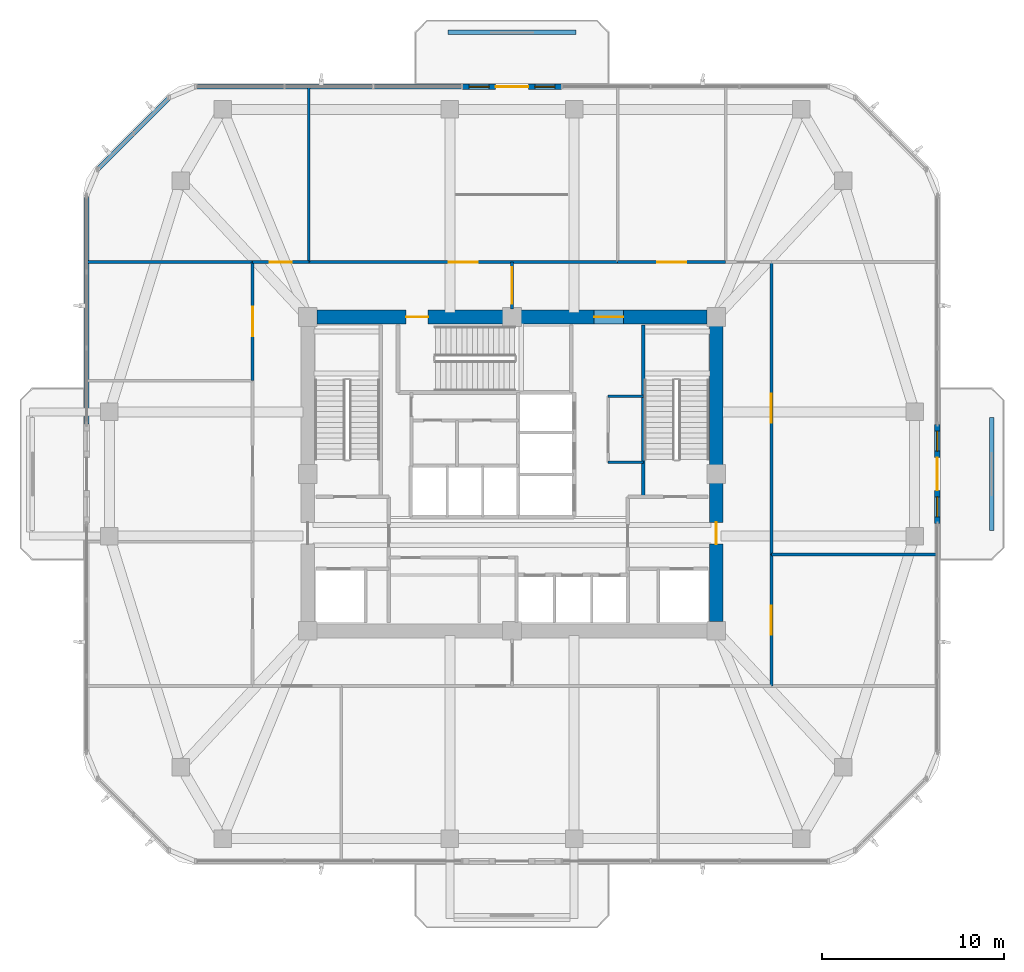
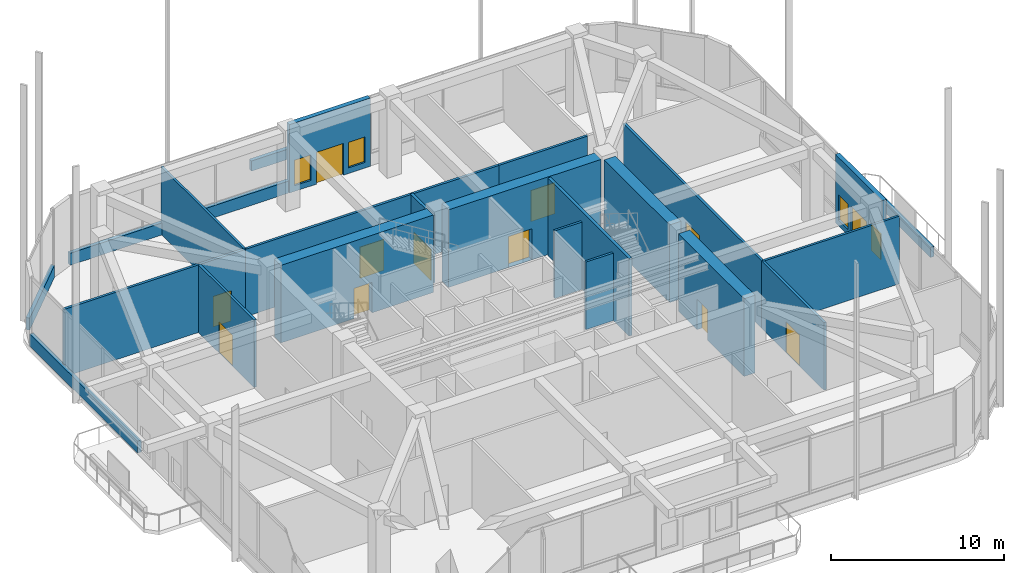
# One storey, part 8 of 12: 24 walls, 12 doors, 4 windows, 16 openings.
"""IFC4 building model written with IfcOpenShell, lengths in metres."""

from ifc_helpers import new_model, si_unit, derived_unit, direction, frame, frame_2d, origin, place, context, subcontext, project, spatial, rectangle, extrude, material, layer, layer_set, type_object, element, fill, save


model = new_model("IFC4")

# Units and contexts
model_context = context("Model", 3, precision=1e-05, world=origin(), true_north=direction((0.0, 1.0)))
body_context = subcontext(model_context, "Body", "Model", "MODEL_VIEW")
ifc_project = project(units=[si_unit("LENGTHUNIT", "METRE"), si_unit("AREAUNIT", "SQUARE_METRE"), si_unit("VOLUMEUNIT", "CUBIC_METRE"), si_unit("PLANEANGLEUNIT", "RADIAN"), si_unit("MASSUNIT", "GRAM", prefix="KILO"), derived_unit("THERMALTRANSMITTANCEUNIT", [(si_unit("POWERUNIT", "WATT"), 1), (si_unit("LENGTHUNIT", "METRE"), -2), (si_unit("THERMODYNAMICTEMPERATUREUNIT", "KELVIN"), -1)])], contexts=[model_context])

# Site, building, storey
site_placement = place(None, origin())
site = spatial("IfcSite", under=ifc_project, at=site_placement, CompositionType="ELEMENT")
building_placement = place(site_placement, origin())
building = spatial("IfcBuilding", under=site, at=building_placement, Name="Koralith Skygarden Medical Center", CompositionType="ELEMENT")
storey_placement = place(building_placement, frame((0.0, 0.0, 129.06005859375)))
storey = spatial("IfcBuildingStorey", under=building, at=storey_placement, Name="L33", CompositionType="ELEMENT", Elevation=129.06005859375)

# Walls
ifc_material_1 = material(Name="Gypsum Board Partition")
ifc_layer_1 = layer(ifc_material_1, 0.14990234375)
ifc_layer_set_1 = layer_set([ifc_layer_1], Name="Gypsum Board Partition")
wall_type_1 = type_object("IfcWallType", Name="Clinical Acoustic Partition 150", PredefinedType="PARTITIONING", material=ifc_layer_set_1)
for number, where, z_axis, x_axis, name in (
    (1, (42.27001953125, 26.5400390625, 0.0), (0.0, 0.0, 1.0), (1.0, 0.0, 0.0), "L33 Clinical Acoustic Partition 150 W-CORE-L33-ESUB-S"),
    (2, (42.27001953125, 30.159912109375, 0.0), (0.0, 0.0, 1.0), (1.0, 0.0, 0.0), "L33 Clinical Acoustic Partition 150 W-CORE-L33-ESUB-N"),
):
    element("IfcWall", number, at=place(storey_placement, frame(where, z_axis=z_axis, x_axis=x_axis)), inside=storey, type_object=wall_type_1, Name=name, PredefinedType="PARTITIONING", context=body_context, shape_type="SweptSolid", body=[
        extrude(rectangle(XDim=1.929931640625, YDim=0.14990234375, at=frame_2d((0.96484375, 0.0))), origin(), (0.0, 0.0, 1.0), 4.77001953125),
    ])
wall_1_placement = place(storey_placement, frame((25.867919921875, 37.510009765625, 0.0), z_axis=(0.0, 0.0, 1.0), x_axis=(0.0, 1.0, 0.0)))
element("IfcWall", 3, at=wall_1_placement, inside=storey, type_object=wall_type_1, Name="L33 Clinical Acoustic Partition 150 W-AMPART-L33-N-1", PredefinedType="PARTITIONING", context=body_context, shape_type="SweptSolid", body=[
    extrude(rectangle(XDim=9.590087890625, YDim=0.14990234375, at=frame_2d((4.794921875, 0.0))), origin(), (0.0, 0.0, 1.0), 4.77001953125),
])
wall_2_placement = place(storey_placement, frame((51.2099609375, 21.488037109375, 0.0), z_axis=(0.0, 0.0, 1.0), x_axis=(1.0, 0.0, 0.0)))
element("IfcWall", 4, at=wall_2_placement, inside=storey, type_object=wall_type_1, Name="L33 Clinical Acoustic Partition 150 W-AMPART-L33-E-1", PredefinedType="PARTITIONING", context=body_context, shape_type="SweptSolid", body=[
    extrude(rectangle(XDim=9.073974609375, YDim=0.14990234375, at=frame_2d((4.537109375, 0.0))), origin(), (0.0, 0.0, 1.0), 4.77001953125),
])
ifc_layer_2 = layer(ifc_material_1, 0.1650390625)
ifc_layer_set_2 = layer_set([ifc_layer_2], Name="Gypsum Board Partition")
wall_type_2 = type_object("IfcWallType", Name="Clinical Corridor Partition 165", PredefinedType="PARTITIONING", material=ifc_layer_set_2)
wall_3_placement = place(storey_placement, frame((13.716064453125, 37.510009765625, 0.0), z_axis=(0.0, 0.0, 1.0), x_axis=(1.0, 0.0, 0.0)))
element("IfcWall", 5, at=wall_3_placement, inside=storey, type_object=wall_type_2, Name="L33 Clinical Corridor Partition 165 W-WB-L33-NW", PredefinedType="PARTITIONING", context=body_context, shape_type="SweptSolid", body=[
    extrude(rectangle(XDim=9.073974609375, YDim=0.1650390625, at=frame_2d((4.537109375, 0.0))), origin(), (0.0, 0.0, 1.0), 4.77001953125),
])

# Wall, opening, door
wall_4_placement = place(storey_placement, frame((22.7900390625, 37.510009765625, 0.0), z_axis=(0.0, 0.0, 1.0), x_axis=(1.0, 0.0, 0.0)))
wall_4 = element("IfcWall", 6, at=wall_4_placement, inside=storey, type_object=wall_type_2, Name="L33 Clinical Corridor Partition 165 W-AMCOR-L33-N-1", PredefinedType="PARTITIONING", context=body_context, shape_type="SweptSolid", body=[
    extrude(rectangle(XDim=3.077880859375, YDim=0.1650390625, at=frame_2d((1.5390625, 0.0))), origin(), (0.0, 0.0, 1.0), 4.77001953125),
])
opening_1_placement = place(wall_4_placement, frame((0.93896484375, 0.0, 0.0)))
opening_1 = element("IfcOpeningElement", 7, at=opening_1_placement, cuts=wall_4, Name="Opening D-CLN", PredefinedType="OPENING", context=body_context, shape_type="SweptSolid", body=[
    extrude(rectangle(XDim=1.199951171875, YDim=2.14990234375, at=frame_2d((0.60009765625, 1.074951171875))), frame((0.0, 0.092529296875, 0.0), z_axis=(0.0, -1.0, 0.0), x_axis=(1.0, 0.0, 0.0)), (0.0, 0.0, 1.0), 0.18505859375),
])
ifc_material_2 = material(Name="Aluminium 6063-T6", Category="aluminium")
door_type_1 = type_object("IfcDoorType", Name="Clinical Corridor Door D-CLN 1200", OperationType="NOTDEFINED", PredefinedType="DOOR", material=ifc_material_2)
door_1_placement = place(opening_1_placement, origin())
door_1 = element("IfcDoor", 8, at=door_1_placement, inside=storey, type_object=door_type_1, Name="L33 Mid-Rise Sky Lobby Concierge Hall Door", OperationType="SINGLE_SWING_LEFT", OverallHeight=2.14990234375, OverallWidth=1.199951171875, PredefinedType="DOOR", context=body_context, shape_type="SweptSolid", body=[
    extrude(rectangle(XDim=1.199951171875, YDim=2.14990234375, at=frame_2d((0.60009765625, 1.074951171875))), frame((0.0, 0.02490234375, 0.0), z_axis=(0.0, -1.0, 0.0), x_axis=(1.0, 0.0, 0.0)), (0.0, 0.0, 1.0), 0.050048828125),
])
fill(opening_1, door_1)

wall_5_placement = place(storey_placement, frame((25.867919921875, 37.510009765625, 0.0), z_axis=(0.0, 0.0, 1.0), x_axis=(1.0, 0.0, 0.0)))
wall_5 = element("IfcWall", 9, at=wall_5_placement, inside=storey, type_object=wall_type_2, Name="L33 Clinical Corridor Partition 165 W-AMCOR-L33-N-2", PredefinedType="PARTITIONING", context=body_context, shape_type="SweptSolid", body=[
    extrude(rectangle(XDim=16.921142578125, YDim=0.1650390625, at=frame_2d((8.46044921875, 0.0))), origin(), (0.0, 0.0, 1.0), 4.77001953125),
])
opening_2_placement = place(wall_5_placement, frame((7.660888671875, 0.0, 0.0)))
opening_2 = element("IfcOpeningElement", 10, at=opening_2_placement, cuts=wall_5, Name="Opening D-DBL", PredefinedType="OPENING", context=body_context, shape_type="SweptSolid", body=[
    extrude(rectangle(XDim=1.60009765625, YDim=2.199951171875, at=frame_2d((0.800048828125, 1.10009765625))), frame((0.0, 0.092529296875, 0.0), z_axis=(0.0, -1.0, 0.0), x_axis=(1.0, 0.0, 0.0)), (0.0, 0.0, 1.0), 0.18505859375),
])
door_type_2 = type_object("IfcDoorType", Name="Double Clinical Suite Door D-DBL 1600", OperationType="NOTDEFINED", PredefinedType="DOOR", material=ifc_material_2)
door_2_placement = place(opening_2_placement, origin())
door_2 = element("IfcDoor", 11, at=door_2_placement, inside=storey, type_object=door_type_2, Name="L33 Biophilic Sky-Garden Conservatory Lounge Door", OperationType="DOUBLE_DOOR_SINGLE_SWING", OverallHeight=2.199951171875, OverallWidth=1.60009765625, PredefinedType="DOOR", context=body_context, shape_type="SweptSolid", body=[
    extrude(rectangle(XDim=1.60009765625, YDim=2.199951171875, at=frame_2d((0.800048828125, 1.10009765625))), frame((0.0, 0.02490234375, 0.0), z_axis=(0.0, -1.0, 0.0), x_axis=(1.0, 0.0, 0.0)), (0.0, 0.0, 1.0), 0.050048828125),
])
fill(opening_2, door_2)

wall_6_placement = place(storey_placement, frame((42.7890625, 37.510009765625, 0.0), z_axis=(0.0, 0.0, 1.0), x_axis=(1.0, 0.0, 0.0)))
wall_6 = element("IfcWall", 12, at=wall_6_placement, inside=storey, type_object=wall_type_2, Name="L33 Clinical Corridor Partition 165 W-AMCOR-L33-N-3", PredefinedType="PARTITIONING", context=body_context, shape_type="SweptSolid", body=[
    extrude(rectangle(XDim=5.9208984375, YDim=0.1650390625, at=frame_2d((2.96044921875, 0.0))), origin(), (0.0, 0.0, 1.0), 4.77001953125),
])
opening_3_placement = place(wall_6_placement, frame((2.159912109375, 0.0, 0.0)))
opening_3 = element("IfcOpeningElement", 13, at=opening_3_placement, cuts=wall_6, Name="Opening D-DBL", PredefinedType="OPENING", context=body_context, shape_type="SweptSolid", body=[
    extrude(rectangle(XDim=1.60009765625, YDim=2.199951171875, at=frame_2d((0.800048828125, 1.10009765625))), frame((0.0, 0.092529296875, 0.0), z_axis=(0.0, -1.0, 0.0), x_axis=(1.0, 0.0, 0.0)), (0.0, 0.0, 1.0), 0.18505859375),
])
door_3_placement = place(opening_3_placement, origin())
door_3 = element("IfcDoor", 14, at=door_3_placement, inside=storey, type_object=door_type_2, Name="L33 Clinical Ethics Conference Room Door", OperationType="DOUBLE_DOOR_SINGLE_SWING", OverallHeight=2.199951171875, OverallWidth=1.60009765625, PredefinedType="DOOR", context=body_context, shape_type="SweptSolid", body=[
    extrude(rectangle(XDim=1.60009765625, YDim=2.199951171875, at=frame_2d((0.800048828125, 1.10009765625))), frame((0.0, 0.02490234375, 0.0), z_axis=(0.0, -1.0, 0.0), x_axis=(1.0, 0.0, 0.0)), (0.0, 0.0, 1.0), 0.050048828125),
])
fill(opening_3, door_3)

wall_7_placement = place(storey_placement, frame((22.7900390625, 31.008056640625, 0.0), z_axis=(0.0, 0.0, 1.0), x_axis=(0.0, 1.0, 0.0)))
wall_7 = element("IfcWall", 15, at=wall_7_placement, inside=storey, type_object=wall_type_2, Name="L33 Clinical Corridor Partition 165 W-AMCOR-L33-W-3", PredefinedType="PARTITIONING", context=body_context, shape_type="SweptSolid", body=[
    extrude(rectangle(XDim=6.501953125, YDim=0.1650390625, at=frame_2d((3.2509765625, 0.0))), origin(), (0.0, 0.0, 1.0), 4.77001953125),
])
opening_4_placement = place(wall_7_placement, frame((2.450927734375, 0.0, 0.0)))
opening_4 = element("IfcOpeningElement", 16, at=opening_4_placement, cuts=wall_7, Name="Opening D-DBL", PredefinedType="OPENING", context=body_context, shape_type="SweptSolid", body=[
    extrude(rectangle(XDim=1.60009765625, YDim=2.199951171875, at=frame_2d((0.800048828125, 1.10009765625))), frame((0.0, 0.092529296875, 0.0), z_axis=(0.0, -1.0, 0.0), x_axis=(1.0, 0.0, 0.0)), (0.0, 0.0, 1.0), 0.18505859375),
])
door_4_placement = place(opening_4_placement, frame((1.60009765625, 0.0, 0.0), z_axis=(0.0, 0.0, 1.0), x_axis=(-1.0, 0.0, 0.0)))
door_4 = element("IfcDoor", 17, at=door_4_placement, inside=storey, type_object=door_type_2, Name="L33 Care Navigation Office Door", OperationType="DOUBLE_DOOR_SINGLE_SWING", OverallHeight=2.199951171875, OverallWidth=1.60009765625, PredefinedType="DOOR", context=body_context, shape_type="SweptSolid", body=[
    extrude(rectangle(XDim=1.60009765625, YDim=2.199951171875, at=frame_2d((0.800048828125, 1.10009765625))), frame((0.0, 0.02490234375, 0.0), z_axis=(0.0, -1.0, 0.0), x_axis=(1.0, 0.0, 0.0)), (0.0, 0.0, 1.0), 0.050048828125),
])
fill(opening_4, door_4)

wall_8_placement = place(storey_placement, frame((51.2099609375, 14.2900390625, 0.0), z_axis=(0.0, 0.0, 1.0), x_axis=(0.0, 1.0, 0.0)))
wall_8 = element("IfcWall", 18, at=wall_8_placement, inside=storey, type_object=wall_type_2, Name="L33 Clinical Corridor Partition 165 W-AMCOR-L33-E-1", PredefinedType="PARTITIONING", context=body_context, shape_type="SweptSolid", body=[
    extrude(rectangle(XDim=7.197998046875, YDim=0.1650390625, at=frame_2d((3.59912109375, 0.0))), origin(), (0.0, 0.0, 1.0), 4.77001953125),
])
opening_5_placement = place(wall_8_placement, frame((2.799072265625, 0.0, 0.0)))
opening_5 = element("IfcOpeningElement", 19, at=opening_5_placement, cuts=wall_8, Name="Opening D-DBL", PredefinedType="OPENING", context=body_context, shape_type="SweptSolid", body=[
    extrude(rectangle(XDim=1.60009765625, YDim=2.199951171875, at=frame_2d((0.800048828125, 1.10009765625))), frame((0.0, 0.092529296875, 0.0), z_axis=(0.0, -1.0, 0.0), x_axis=(1.0, 0.0, 0.0)), (0.0, 0.0, 1.0), 0.18505859375),
])
door_5_placement = place(opening_5_placement, origin())
door_5 = element("IfcDoor", 20, at=door_5_placement, inside=storey, type_object=door_type_2, Name="L33 Outpatient Dietetics Consultation Office Door", OperationType="DOUBLE_DOOR_SINGLE_SWING", OverallHeight=2.199951171875, OverallWidth=1.60009765625, PredefinedType="DOOR", context=body_context, shape_type="SweptSolid", body=[
    extrude(rectangle(XDim=1.60009765625, YDim=2.199951171875, at=frame_2d((0.800048828125, 1.10009765625))), frame((0.0, 0.02490234375, 0.0), z_axis=(0.0, -1.0, 0.0), x_axis=(1.0, 0.0, 0.0)), (0.0, 0.0, 1.0), 0.050048828125),
])
fill(opening_5, door_5)

wall_9_placement = place(storey_placement, frame((51.2099609375, 21.488037109375, 0.0), z_axis=(0.0, 0.0, 1.0), x_axis=(0.0, 1.0, 0.0)))
wall_9 = element("IfcWall", 21, at=wall_9_placement, inside=storey, type_object=wall_type_2, Name="L33 Clinical Corridor Partition 165 W-AMCOR-L33-E-2", PredefinedType="PARTITIONING", context=body_context, shape_type="SweptSolid", body=[
    extrude(rectangle(XDim=16.02197265625, YDim=0.1650390625, at=frame_2d((8.010986328125, 0.0))), origin(), (0.0, 0.0, 1.0), 4.77001953125),
])
opening_6_placement = place(wall_9_placement, frame((7.2109375, 0.0, 0.0)))
opening_6 = element("IfcOpeningElement", 22, at=opening_6_placement, cuts=wall_9, Name="Opening D-DBL", PredefinedType="OPENING", context=body_context, shape_type="SweptSolid", body=[
    extrude(rectangle(XDim=1.60009765625, YDim=2.199951171875, at=frame_2d((0.800048828125, 1.10009765625))), frame((0.0, 0.092529296875, 0.0), z_axis=(0.0, -1.0, 0.0), x_axis=(1.0, 0.0, 0.0)), (0.0, 0.0, 1.0), 0.18505859375),
])
door_6_placement = place(opening_6_placement, origin())
door_6 = element("IfcDoor", 23, at=door_6_placement, inside=storey, type_object=door_type_2, Name="L33 East Sky-Garden Verandah Lounge Door", OperationType="DOUBLE_DOOR_SINGLE_SWING", OverallHeight=2.199951171875, OverallWidth=1.60009765625, PredefinedType="DOOR", context=body_context, shape_type="SweptSolid", body=[
    extrude(rectangle(XDim=1.60009765625, YDim=2.199951171875, at=frame_2d((0.800048828125, 1.10009765625))), frame((0.0, 0.02490234375, 0.0), z_axis=(0.0, -1.0, 0.0), x_axis=(1.0, 0.0, 0.0)), (0.0, 0.0, 1.0), 0.050048828125),
])
fill(opening_6, door_6)

ifc_layer_3 = layer(ifc_material_1, 0.179931640625)
ifc_layer_set_3 = layer_set([ifc_layer_3], Name="Gypsum Board Partition")
wall_type_3 = type_object("IfcWallType", Name="Group I-2 Smoke Barrier Wall 180", PredefinedType="PARTITIONING", material=ifc_layer_set_3)
wall_10_placement = place(storey_placement, frame((37.0, 34.949951171875, 0.0), z_axis=(0.0, 0.0, 1.0), x_axis=(0.0, 1.0, 0.0)))
wall_10 = element("IfcWall", 24, at=wall_10_placement, inside=storey, type_object=wall_type_3, Name="L33 Group I-2 Smoke Barrier Wall 180 W-SMK-L33-N", PredefinedType="PARTITIONING", context=body_context, shape_type="SweptSolid", body=[
    extrude(rectangle(XDim=2.56005859375, YDim=0.179931640625, at=frame_2d((1.280029296875, 0.0))), origin(), (0.0, 0.0, 1.0), 4.77001953125),
])
opening_7_placement = place(wall_10_placement, frame((0.280029296875, 0.0, 0.0)))
opening_7 = element("IfcOpeningElement", 25, at=opening_7_placement, cuts=wall_10, Name="Opening D-SMK", PredefinedType="OPENING", context=body_context, shape_type="SweptSolid", body=[
    extrude(rectangle(XDim=2.0, YDim=2.199951171875, at=frame_2d((1.0, 1.10009765625))), frame((0.0, 0.099853515625, 0.0), z_axis=(0.0, -1.0, 0.0), x_axis=(1.0, 0.0, 0.0)), (0.0, 0.0, 1.0), 0.199951171875),
])
ifc_material_3 = material(Name="Steel ASTM A500 Grade C", Category="steel")
door_type_3 = type_object("IfcDoorType", Name="Cross-Corridor Double Smoke Door FD60S 2000", OperationType="NOTDEFINED", PredefinedType="DOOR", material=ifc_material_3)
door_7_placement = place(opening_7_placement, origin())
door_7 = element("IfcDoor", 26, at=door_7_placement, inside=storey, type_object=door_type_3, Name="L33 N Smoke Compartment Cross-Corridor Door", OperationType="DOUBLE_DOOR_SINGLE_SWING", OverallHeight=2.199951171875, OverallWidth=2.0, PredefinedType="DOOR", context=body_context, shape_type="SweptSolid", body=[
    extrude(rectangle(XDim=2.0, YDim=2.199951171875, at=frame_2d((1.0, 1.10009765625))), frame((0.0, 0.02490234375, 0.0), z_axis=(0.0, -1.0, 0.0), x_axis=(1.0, 0.0, 0.0)), (0.0, 0.0, 1.0), 0.050048828125),
])
fill(opening_7, door_7)

# Walls
ifc_material_4 = material(Name="Warm Oolitic Limestone Cladding", Category="masonry")
ifc_layer_4 = layer(ifc_material_4, 0.239990234375)
ifc_layer_set_4 = layer_set([ifc_layer_4], Name="Warm Oolitic Limestone Cladding")
wall_type_4 = type_object("IfcWallType", Name="Limestone Spandrel Sill Backup Wall 240", PredefinedType="SOLIDWALL", material=ifc_layer_set_4)
wall_11_placement = place(storey_placement, frame((34.260986328125, 47.1201171875, 0.0), z_axis=(0.0, 0.0, 1.0), x_axis=(-1.0, 0.0, 0.0)))
element("IfcWall", 27, at=wall_11_placement, inside=storey, type_object=wall_type_4, Name="L33 Sill Spandrel N-R", PredefinedType="SOLIDWALL", context=body_context, shape_type="SweptSolid", body=[
    extrude(rectangle(XDim=14.590087890625, YDim=0.239990234375, at=frame_2d((7.294921875, 0.0))), origin(), (0.0, 0.0, 1.0), 0.849853515625),
])
wall_12_placement = place(storey_placement, frame((18.219970703125, 46.51904296875, 0.0), z_axis=(0.0, 0.0, 1.0), x_axis=(-0.707084777957, -0.707128783731, 0.0)))
element("IfcWall", 28, at=wall_12_placement, inside=storey, type_object=wall_type_4, Name="L33 Sill Spandrel NW", PredefinedType="SOLIDWALL", context=body_context, shape_type="SweptSolid", body=[
    extrude(rectangle(XDim=5.5478515625, YDim=0.239990234375, at=frame_2d((2.77392578125, 0.0))), origin(), (0.0, 0.0, 1.0), 0.849853515625),
])
wall_13_placement = place(storey_placement, frame((13.696044921875, 41.14501953125, 0.0), z_axis=(0.0, 0.0, 1.0), x_axis=(0.0, -1.0, 0.0)))
element("IfcWall", 29, at=wall_13_placement, inside=storey, type_object=wall_type_4, Name="L33 Sill Spandrel W-L", PredefinedType="SOLIDWALL", context=body_context, shape_type="SweptSolid", body=[
    extrude(rectangle(XDim=12.50390625, YDim=0.239990234375, at=frame_2d((6.251953125, 0.0))), origin(), (0.0, 0.0, 1.0), 0.849853515625),
])

# Wall, opening, door
ifc_material_5 = material(Name="Concrete C70/85", Category="concrete")
ifc_layer_5 = layer(ifc_material_5, 0.75)
ifc_layer_set_5 = layer_set([ifc_layer_5], Name="Concrete C70/85")
wall_type_5 = type_object("IfcWallType", Name="Mid Core Shear Wall 750", PredefinedType="SHEAR", material=ifc_layer_set_5)
wall_14_placement = place(storey_placement, frame((48.199951171875, 17.804931640625, 0.0), z_axis=(0.0, 0.0, 1.0), x_axis=(0.0, 1.0, 0.0)))
wall_14 = element("IfcWall", 30, at=wall_14_placement, inside=storey, type_object=wall_type_5, Name="L33 Core Shear Wall Segment 3", PredefinedType="SHEAR", context=body_context, shape_type="SweptSolid", body=[
    extrude(rectangle(XDim=7.590087890625, YDim=0.75, at=frame_2d((3.794921875, 0.0))), origin(), (0.0, 0.0, 1.0), 5.47998046875),
])
opening_8_placement = place(wall_14_placement, frame((4.2451171875, 0.0, 0.0)))
opening_8 = element("IfcOpeningElement", 31, at=opening_8_placement, cuts=wall_14, Name="Opening D-ST60", PredefinedType="OPENING", context=body_context, shape_type="SweptSolid", body=[
    extrude(rectangle(XDim=1.199951171875, YDim=2.14990234375, at=frame_2d((0.60009765625, 1.074951171875))), frame((0.0, 0.385009765625, 0.0), z_axis=(0.0, -1.0, 0.0), x_axis=(1.0, 0.0, 0.0)), (0.0, 0.0, 1.0), 0.77001953125),
])
door_type_4 = type_object("IfcDoorType", Name="Smokeproof Stair Fire Door FD60S 1200", OperationType="NOTDEFINED", PredefinedType="DOOR", material=ifc_material_3)
door_8_placement = place(opening_8_placement, frame((1.199951171875, 0.0, 0.0), z_axis=(0.0, 0.0, 1.0), x_axis=(-1.0, 0.0, 0.0)))
door_8 = element("IfcDoor", 32, at=door_8_placement, inside=storey, type_object=door_type_4, Name="L33 East Corridor to Firefighting Lobby Door", OperationType="SINGLE_SWING_RIGHT", OverallHeight=2.14990234375, OverallWidth=1.199951171875, PredefinedType="DOOR", context=body_context, shape_type="SweptSolid", body=[
    extrude(rectangle(XDim=1.199951171875, YDim=2.14990234375, at=frame_2d((0.60009765625, 1.074951171875))), frame((0.0, 0.02490234375, 0.0), z_axis=(0.0, -1.0, 0.0), x_axis=(1.0, 0.0, 0.0)), (0.0, 0.0, 1.0), 0.050048828125),
])
fill(opening_8, door_8)

# Wall
wall_15_placement = place(storey_placement, frame((48.199951171875, 26.405029296875, 0.0), z_axis=(0.0, 0.0, 1.0), x_axis=(0.0, 1.0, 0.0)))
element("IfcWall", 33, at=wall_15_placement, inside=storey, type_object=wall_type_5, Name="L33 Core Shear Wall Segment 4", PredefinedType="SHEAR", context=body_context, shape_type="SweptSolid", body=[
    extrude(rectangle(XDim=7.590087890625, YDim=0.75, at=frame_2d((3.794921875, 0.0))), origin(), (0.0, 0.0, 1.0), 5.47998046875),
])

# Wall, opening, door
wall_16_placement = place(storey_placement, frame((47.695068359375, 34.5, 0.0), z_axis=(0.0, 0.0, 1.0), x_axis=(-1.0, 0.0, 0.0)))
wall_16 = element("IfcWall", 34, at=wall_16_placement, inside=storey, type_object=wall_type_5, Name="L33 Core Shear Wall Segment 5", PredefinedType="SHEAR", context=body_context, shape_type="SweptSolid", body=[
    extrude(rectangle(XDim=10.190185546875, YDim=0.75, at=frame_2d((5.09521484375, 0.0))), origin(), (0.0, 0.0, 1.0), 5.47998046875),
])
opening_9_placement = place(wall_16_placement, frame((4.594970703125, 0.0, 0.0)))
opening_9 = element("IfcOpeningElement", 35, at=opening_9_placement, cuts=wall_16, Name="Opening D-DBL", PredefinedType="OPENING", context=body_context, shape_type="SweptSolid", body=[
    extrude(rectangle(XDim=1.60009765625, YDim=2.199951171875, at=frame_2d((0.800048828125, 1.10009765625))), frame((0.0, 0.385009765625, 0.0), z_axis=(0.0, -1.0, 0.0), x_axis=(1.0, 0.0, 0.0)), (0.0, 0.0, 1.0), 0.77001953125),
])
door_9_placement = place(opening_9_placement, frame((1.60009765625, 0.0, 0.0), z_axis=(0.0, 0.0, 1.0), x_axis=(-1.0, 0.0, 0.0)))
door_9 = element("IfcDoor", 36, at=door_9_placement, inside=storey, type_object=door_type_2, Name="L33 North-East Corridor to Elevator Lobby Door", OperationType="DOUBLE_DOOR_SINGLE_SWING", OverallHeight=2.199951171875, OverallWidth=1.60009765625, PredefinedType="DOOR", context=body_context, shape_type="SweptSolid", body=[
    extrude(rectangle(XDim=1.60009765625, YDim=2.199951171875, at=frame_2d((0.800048828125, 1.10009765625))), frame((0.0, 0.02490234375, 0.0), z_axis=(0.0, -1.0, 0.0), x_axis=(1.0, 0.0, 0.0)), (0.0, 0.0, 1.0), 0.050048828125),
])
fill(opening_9, door_9)

wall_17_placement = place(storey_placement, frame((36.4951171875, 34.5, 0.0), z_axis=(0.0, 0.0, 1.0), x_axis=(-1.0, 0.0, 0.0)))
wall_17 = element("IfcWall", 37, at=wall_17_placement, inside=storey, type_object=wall_type_5, Name="L33 Core Shear Wall Segment 6", PredefinedType="SHEAR", context=body_context, shape_type="SweptSolid", body=[
    extrude(rectangle(XDim=10.190185546875, YDim=0.75, at=frame_2d((5.09521484375, 0.0))), origin(), (0.0, 0.0, 1.0), 5.47998046875),
])
opening_10_placement = place(wall_17_placement, frame((4.094970703125, 0.0, 0.0)))
opening_10 = element("IfcOpeningElement", 38, at=opening_10_placement, cuts=wall_17, Name="Opening D-ST60", PredefinedType="OPENING", context=body_context, shape_type="SweptSolid", body=[
    extrude(rectangle(XDim=1.199951171875, YDim=2.14990234375, at=frame_2d((0.60009765625, 1.074951171875))), frame((0.0, 0.385009765625, 0.0), z_axis=(0.0, -1.0, 0.0), x_axis=(1.0, 0.0, 0.0)), (0.0, 0.0, 1.0), 0.77001953125),
])
door_10_placement = place(opening_10_placement, frame((1.199951171875, 0.0, 0.0), z_axis=(0.0, 0.0, 1.0), x_axis=(-1.0, 0.0, 0.0)))
door_10 = element("IfcDoor", 39, at=door_10_placement, inside=storey, type_object=door_type_4, Name="L33 Exit Stair ST3 Fire Door", OperationType="SINGLE_SWING_LEFT", OverallHeight=2.14990234375, OverallWidth=1.199951171875, PredefinedType="DOOR", context=body_context, shape_type="SweptSolid", body=[
    extrude(rectangle(XDim=1.199951171875, YDim=2.14990234375, at=frame_2d((0.60009765625, 1.074951171875))), frame((0.0, 0.02490234375, 0.0), z_axis=(0.0, -1.0, 0.0), x_axis=(1.0, 0.0, 0.0)), (0.0, 0.0, 1.0), 0.050048828125),
])
fill(opening_10, door_10)

# Wall, openings, door, windows
ifc_layer_6 = layer(ifc_material_4, 0.300048828125)
ifc_layer_set_6 = layer_set([ifc_layer_6], Name="Warm Oolitic Limestone Cladding")
wall_type_6 = type_object("IfcWallType", Name="Oolitic Limestone Insulated Facade Wall 300", PredefinedType="SOLIDWALL", material=ifc_layer_set_6)
wall_18_placement = place(storey_placement, frame((60.303955078125, 23.198974609375, 0.0), z_axis=(0.0, 0.0, 1.0), x_axis=(0.0, 1.0, 0.0)))
wall_18 = element("IfcWall", 40, at=wall_18_placement, inside=storey, type_object=wall_type_6, Name="L33 Terrace Portal Wall E", PredefinedType="SOLIDWALL", context=body_context, shape_type="SweptSolid", body=[
    extrude(rectangle(XDim=5.400146484375, YDim=0.300048828125, at=frame_2d((2.7001953125, 0.0))), origin(), (0.0, 0.0, 1.0), 4.829833984375),
])
opening_11_placement = place(wall_18_placement, frame((1.800048828125, 0.0, 0.0)))
opening_11 = element("IfcOpeningElement", 41, at=opening_11_placement, cuts=wall_18, Name="Opening D-SG", PredefinedType="OPENING", context=body_context, shape_type="SweptSolid", body=[
    extrude(rectangle(XDim=1.800048828125, YDim=2.25, at=frame_2d((0.89990234375, 1.125))), frame((0.0, 0.159912109375, 0.0), z_axis=(0.0, -1.0, 0.0), x_axis=(1.0, 0.0, 0.0)), (0.0, 0.0, 1.0), 0.320068359375),
])
opening_12_placement = place(wall_18_placement, frame((0.35009765625, 0.0, 0.39990234375)))
opening_12 = element("IfcOpeningElement", 42, at=opening_12_placement, cuts=wall_18, Name="Opening W-04", PredefinedType="OPENING", context=body_context, shape_type="SweptSolid", body=[
    extrude(rectangle(XDim=1.10009765625, YDim=1.800048828125, at=frame_2d((0.550048828125, 0.89990234375))), frame((0.0, 0.159912109375, 0.0), z_axis=(0.0, -1.0, 0.0), x_axis=(1.0, 0.0, 0.0)), (0.0, 0.0, 1.0), 0.320068359375),
])
opening_13_placement = place(wall_18_placement, frame((3.949951171875, 0.0, 0.39990234375)))
opening_13 = element("IfcOpeningElement", 43, at=opening_13_placement, cuts=wall_18, Name="Opening W-04", PredefinedType="OPENING", context=body_context, shape_type="SweptSolid", body=[
    extrude(rectangle(XDim=1.10009765625, YDim=1.800048828125, at=frame_2d((0.550048828125, 0.89990234375))), frame((0.0, 0.159912109375, 0.0), z_axis=(0.0, -1.0, 0.0), x_axis=(1.0, 0.0, 0.0)), (0.0, 0.0, 1.0), 0.320068359375),
])
door_type_5 = type_object("IfcDoorType", Name="Sky-Garden Double Terrace Door D-SG 1800", OperationType="NOTDEFINED", PredefinedType="DOOR", material=ifc_material_2)
door_11_placement = place(opening_11_placement, origin())
door_11 = element("IfcDoor", 44, at=door_11_placement, inside=storey, type_object=door_type_5, Name="L33 E Outdoor Terrace Access Door", OperationType="DOUBLE_DOOR_SINGLE_SWING", OverallHeight=2.25, OverallWidth=1.800048828125, PredefinedType="DOOR", context=body_context, shape_type="SweptSolid", body=[
    extrude(rectangle(XDim=1.800048828125, YDim=2.25, at=frame_2d((0.89990234375, 1.125))), frame((0.0, 0.02490234375, 0.0), z_axis=(0.0, -1.0, 0.0), x_axis=(1.0, 0.0, 0.0)), (0.0, 0.0, 1.0), 0.050048828125),
])
fill(opening_11, door_11)
ifc_material_6 = material(Name="Clear Laminated Glass", Category="glass")
window_type = type_object("IfcWindowType", Name="Sky-Garden Portal Sidelight Window W-04 1100x1800", PartitioningType="SINGLE_PANEL", PredefinedType="WINDOW", material=ifc_material_6)
window_1_placement = place(opening_12_placement, origin())
window_1 = element("IfcWindow", 45, at=window_1_placement, inside=storey, type_object=window_type, Name="L33 E Portal Sidelight 1", OverallHeight=1.800048828125, OverallWidth=1.10009765625, PartitioningType="SINGLE_PANEL", PredefinedType="WINDOW", context=body_context, shape_type="SweptSolid", body=[
    extrude(rectangle(XDim=1.10009765625, YDim=1.800048828125, at=frame_2d((0.550048828125, 0.89990234375))), frame((0.0, 0.030029296875, 0.0), z_axis=(0.0, -1.0, 0.0), x_axis=(1.0, 0.0, 0.0)), (0.0, 0.0, 1.0), 0.06005859375),
])
fill(opening_12, window_1)
window_2_placement = place(opening_13_placement, origin())
window_2 = element("IfcWindow", 46, at=window_2_placement, inside=storey, type_object=window_type, Name="L33 E Portal Sidelight 2", OverallHeight=1.800048828125, OverallWidth=1.10009765625, PartitioningType="SINGLE_PANEL", PredefinedType="WINDOW", context=body_context, shape_type="SweptSolid", body=[
    extrude(rectangle(XDim=1.10009765625, YDim=1.800048828125, at=frame_2d((0.550048828125, 0.89990234375))), frame((0.0, 0.030029296875, 0.0), z_axis=(0.0, -1.0, 0.0), x_axis=(1.0, 0.0, 0.0)), (0.0, 0.0, 1.0), 0.06005859375),
])
fill(opening_13, window_2)

wall_19_placement = place(storey_placement, frame((39.700927734375, 47.1201171875, 0.0), z_axis=(0.0, 0.0, 1.0), x_axis=(-1.0, 0.0, 0.0)))
wall_19 = element("IfcWall", 47, at=wall_19_placement, inside=storey, type_object=wall_type_6, Name="L33 Terrace Portal Wall N", PredefinedType="SOLIDWALL", context=body_context, shape_type="SweptSolid", body=[
    extrude(rectangle(XDim=5.39990234375, YDim=0.300048828125, at=frame_2d((2.699951171875, 0.0))), origin(), (0.0, 0.0, 1.0), 4.829833984375),
])
opening_14_placement = place(wall_19_placement, frame((1.800048828125, 0.0, 0.0)))
opening_14 = element("IfcOpeningElement", 48, at=opening_14_placement, cuts=wall_19, Name="Opening D-SG", PredefinedType="OPENING", context=body_context, shape_type="SweptSolid", body=[
    extrude(rectangle(XDim=1.800048828125, YDim=2.25, at=frame_2d((0.89990234375, 1.125))), frame((0.0, 0.159912109375, 0.0), z_axis=(0.0, -1.0, 0.0), x_axis=(1.0, 0.0, 0.0)), (0.0, 0.0, 1.0), 0.320068359375),
])
opening_15_placement = place(wall_19_placement, frame((0.35009765625, 0.0, 0.39990234375)))
opening_15 = element("IfcOpeningElement", 49, at=opening_15_placement, cuts=wall_19, Name="Opening W-04", PredefinedType="OPENING", context=body_context, shape_type="SweptSolid", body=[
    extrude(rectangle(XDim=1.10009765625, YDim=1.800048828125, at=frame_2d((0.550048828125, 0.89990234375))), frame((0.0, 0.159912109375, 0.0), z_axis=(0.0, -1.0, 0.0), x_axis=(1.0, 0.0, 0.0)), (0.0, 0.0, 1.0), 0.320068359375),
])
opening_16_placement = place(wall_19_placement, frame((3.949951171875, 0.0, 0.39990234375)))
opening_16 = element("IfcOpeningElement", 50, at=opening_16_placement, cuts=wall_19, Name="Opening W-04", PredefinedType="OPENING", context=body_context, shape_type="SweptSolid", body=[
    extrude(rectangle(XDim=1.10009765625, YDim=1.800048828125, at=frame_2d((0.550048828125, 0.89990234375))), frame((0.0, 0.159912109375, 0.0), z_axis=(0.0, -1.0, 0.0), x_axis=(1.0, 0.0, 0.0)), (0.0, 0.0, 1.0), 0.320068359375),
])
door_12_placement = place(opening_14_placement, origin())
door_12 = element("IfcDoor", 51, at=door_12_placement, inside=storey, type_object=door_type_5, Name="L33 N Outdoor Terrace Access Door", OperationType="DOUBLE_DOOR_SINGLE_SWING", OverallHeight=2.25, OverallWidth=1.800048828125, PredefinedType="DOOR", context=body_context, shape_type="SweptSolid", body=[
    extrude(rectangle(XDim=1.800048828125, YDim=2.25, at=frame_2d((0.89990234375, 1.125))), frame((0.0, 0.02490234375, 0.0), z_axis=(0.0, -1.0, 0.0), x_axis=(1.0, 0.0, 0.0)), (0.0, 0.0, 1.0), 0.050048828125),
])
fill(opening_14, door_12)
window_3_placement = place(opening_15_placement, origin())
window_3 = element("IfcWindow", 52, at=window_3_placement, inside=storey, type_object=window_type, Name="L33 N Portal Sidelight 1", OverallHeight=1.800048828125, OverallWidth=1.10009765625, PartitioningType="SINGLE_PANEL", PredefinedType="WINDOW", context=body_context, shape_type="SweptSolid", body=[
    extrude(rectangle(XDim=1.10009765625, YDim=1.800048828125, at=frame_2d((0.550048828125, 0.89990234375))), frame((0.0, 0.030029296875, 0.0), z_axis=(0.0, -1.0, 0.0), x_axis=(1.0, 0.0, 0.0)), (0.0, 0.0, 1.0), 0.06005859375),
])
fill(opening_15, window_3)
window_4_placement = place(opening_16_placement, origin())
window_4 = element("IfcWindow", 53, at=window_4_placement, inside=storey, type_object=window_type, Name="L33 N Portal Sidelight 2", OverallHeight=1.800048828125, OverallWidth=1.10009765625, PartitioningType="SINGLE_PANEL", PredefinedType="WINDOW", context=body_context, shape_type="SweptSolid", body=[
    extrude(rectangle(XDim=1.10009765625, YDim=1.800048828125, at=frame_2d((0.550048828125, 0.89990234375))), frame((0.0, 0.030029296875, 0.0), z_axis=(0.0, -1.0, 0.0), x_axis=(1.0, 0.0, 0.0)), (0.0, 0.0, 1.0), 0.06005859375),
])
fill(opening_16, window_4)

# Walls
ifc_material_7 = material(Name="Precast concrete C40/50", Category="concrete")
ifc_layer_7 = layer(ifc_material_7, 0.25)
ifc_layer_set_7 = layer_set([ifc_layer_7], Name="Precast concrete C40/50")
wall_type_7 = type_object("IfcWallType", Name="Structural Concrete Balcony Planter Kerb 250", PredefinedType="PARAPET", material=ifc_layer_set_7)
wall_20_placement = place(storey_placement, frame((33.5, 50.10009765625, 0.0), z_axis=(0.0, 0.0, 1.0), x_axis=(1.0, 0.0, 0.0)))
element("IfcWall", 54, at=wall_20_placement, inside=storey, type_object=wall_type_7, Name="L33 N Structural Tree PLANTER Box", PredefinedType="PARAPET", context=body_context, shape_type="SweptSolid", body=[
    extrude(rectangle(XDim=7.0, YDim=0.25, at=frame_2d((3.5, 0.0))), origin(), (0.0, 0.0, 1.0), 0.719970703125),
])
wall_21_placement = place(storey_placement, frame((63.283935546875, 22.800048828125, 0.0), z_axis=(0.0, 0.0, 1.0), x_axis=(0.0, 1.0, 0.0)))
element("IfcWall", 55, at=wall_21_placement, inside=storey, type_object=wall_type_7, Name="L33 E Structural Tree PLANTER Box", PredefinedType="PARAPET", context=body_context, shape_type="SweptSolid", body=[
    extrude(rectangle(XDim=6.199951171875, YDim=0.25, at=frame_2d((3.10009765625, 0.0))), origin(), (0.0, 0.0, 1.0), 0.719970703125),
])
ifc_material_8 = material(Name="Concrete C45/55", Category="concrete")
ifc_layer_8 = layer(ifc_material_8, 0.199951171875)
ifc_layer_set_8 = layer_set([ifc_layer_8], Name="Concrete C45/55")
wall_type_8 = type_object("IfcWallType", Name="Structural Stair Shaft Wall 200", PredefinedType="SHEAR", material=ifc_layer_set_8)
wall_22_placement = place(storey_placement, frame((44.199951171875, 24.64990234375, 0.0), z_axis=(0.0, 0.0, 1.0), x_axis=(0.0, 1.0, 0.0)))
element("IfcWall", 56, at=wall_22_placement, inside=storey, type_object=wall_type_8, Name="L33 Structural Stair Shaft Wall 200 W-CORE-L33-ST2-W", PredefinedType="SHEAR", context=body_context, shape_type="SweptSolid", body=[
    extrude(rectangle(XDim=9.400146484375, YDim=0.199951171875, at=frame_2d((4.7001953125, 0.0))), origin(), (0.0, 0.0, 1.0), 5.47998046875),
])

save(model, "model.ifc")
